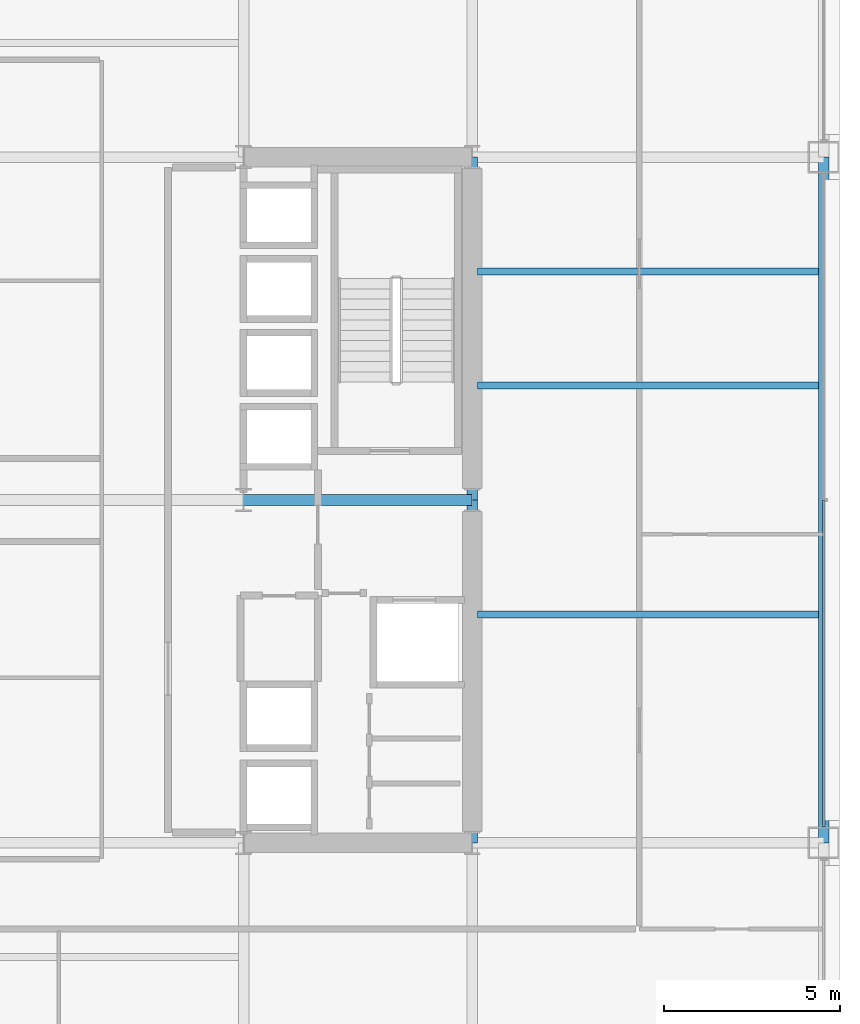
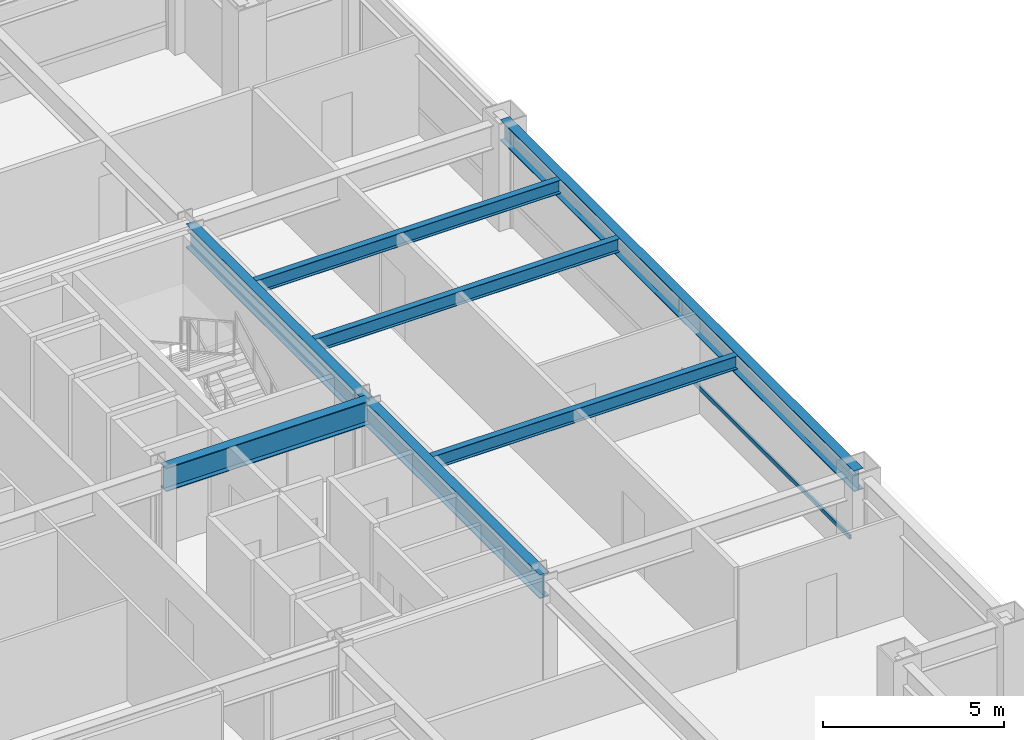
# One storey, part 14 of 29: 7 beams, 1 member, 1 element without a shape of its own.
"""IFC4 building model written with IfcOpenShell, lengths in metres."""

from ifc_helpers import new_model, si_unit, direction, frame, origin, origin_2d, place, context, subcontext, project, spatial, hollow_rectangle, i_section, extrude, material, layer, layer_set, material_profile, profile_set, type_object, element, aggregate, save


model = new_model("IFC4")

# Units and contexts
model_context = context("Model", 3, precision=1e-05, world=origin(), true_north=direction((0.0, 1.0)))
body_context = subcontext(model_context, "Body", "Model", "MODEL_VIEW")
ifc_project = project(units=[si_unit("LENGTHUNIT", "METRE"), si_unit("AREAUNIT", "SQUARE_METRE"), si_unit("VOLUMEUNIT", "CUBIC_METRE"), si_unit("PLANEANGLEUNIT", "RADIAN"), si_unit("MASSUNIT", "GRAM", prefix="KILO")], contexts=[model_context])

# Site, building, storey
site_placement = place(None, origin())
site = spatial("IfcSite", under=ifc_project, at=site_placement, CompositionType="ELEMENT")
building_placement = place(site_placement, origin())
building = spatial("IfcBuilding", under=site, at=building_placement, Name="Brelmoor Portico Tower", CompositionType="ELEMENT")
storey_placement = place(building_placement, frame((0.0, 0.0, 52.800048828125)))
storey = spatial("IfcBuildingStorey", under=building, at=storey_placement, Name="L13", CompositionType="ELEMENT", Elevation=52.800048828125)

# Beams
ifc_material_1 = material(Name="Steel Q355B", Category="steel")
ifc_material_profile_1 = material_profile(ifc_material_1, i_section(OverallWidth=0.199951171875, OverallDepth=0.449951171875, WebThickness=0.009033203125, FlangeThickness=0.013916015625, at=origin_2d()), Name="HN 450x200x9x14")
ifc_profile_set_1 = profile_set([ifc_material_profile_1], Name="Steel Q355B")
beam_type_1 = type_object("IfcBeamType", Name="BM-JS-450", PredefinedType="JOIST", material=ifc_profile_set_1)
for number, where, z_axis, x_axis, name in (
    (1, (14.699951171875, -3.25, 3.175048828125), (1.0, 0.0, 0.0), (0.0, 1.0, 0.0), "L13 Secondary Wing Joist JS-E08"),
    (2, (14.699951171875, 3.25, 3.175048828125), (1.0, 0.0, 0.0), (0.0, 1.0, 0.0), "L13 Secondary Wing Joist JS-E09"),
    (3, (14.699951171875, 6.5, 3.175048828125), (1.0, 0.0, 0.0), (0.0, 1.0, 0.0), "L13 Secondary Wing Joist JS-E10"),
):
    element("IfcBeam", number, at=place(storey_placement, frame(where, z_axis=z_axis, x_axis=x_axis)), inside=storey, type_object=beam_type_1, Name=name, PredefinedType="JOIST", context=body_context, shape_type="SweptSolid", body=[
        extrude(i_section(OverallWidth=0.199951171875, OverallDepth=0.449951171875, WebThickness=0.009033203125, FlangeThickness=0.013916015625, at=origin_2d()), origin(), (0.0, 0.0, 1.0), 9.699951171875),
    ])
ifc_material_profile_2 = material_profile(ifc_material_1, i_section(OverallWidth=0.300048828125, OverallDepth=0.800048828125, WebThickness=0.013916015625, FlangeThickness=0.02587890625, at=origin_2d()), Name="HN 800x300x14x26")
ifc_profile_set_2 = profile_set([ifc_material_profile_2], Name="Steel Q355B")
beam_type_2 = type_object("IfcBeamType", Name="BM-PG-800", PredefinedType="BEAM", material=ifc_profile_set_2)
for number, where, z_axis, x_axis, name in (
    (4, (14.550048828125, -9.75, 3.0), (0.0, 1.0, 0.0), (-1.0, 0.0, 0.0), "L13 Primary Floor Girder PG-12"),
    (5, (14.550048828125, 0.0, 3.0), (0.0, 1.0, 0.0), (-1.0, 0.0, 0.0), "L13 Primary Floor Girder PG-13"),
):
    element("IfcBeam", number, at=place(storey_placement, frame(where, z_axis=z_axis, x_axis=x_axis)), inside=storey, type_object=beam_type_2, Name=name, PredefinedType="BEAM", context=body_context, shape_type="SweptSolid", body=[
        extrude(i_section(OverallWidth=0.300048828125, OverallDepth=0.800048828125, WebThickness=0.013916015625, FlangeThickness=0.02587890625, at=origin_2d()), origin(), (0.0, 0.0, 1.0), 9.75),
    ])
beam_1_placement = place(storey_placement, frame((8.050048828125, 0.0, 3.0), z_axis=(1.0, 0.0, 0.0), x_axis=(0.0, 1.0, 0.0)))
element("IfcBeam", 6, at=beam_1_placement, inside=storey, type_object=beam_type_2, Name="L13 Primary Floor Girder PG-26", PredefinedType="BEAM", context=body_context, shape_type="SweptSolid", body=[
    extrude(i_section(OverallWidth=0.300048828125, OverallDepth=0.800048828125, WebThickness=0.013916015625, FlangeThickness=0.02587890625, at=origin_2d()), origin(), (0.0, 0.0, 1.0), 6.5),
])
ifc_material_profile_3 = material_profile(ifc_material_1, i_section(OverallWidth=0.300048828125, OverallDepth=0.699951171875, WebThickness=0.012939453125, FlangeThickness=0.02392578125, at=origin_2d()), Name="HN 700x300x13x24")
ifc_profile_set_3 = profile_set([ifc_material_profile_3], Name="Steel Q355B")
beam_type_3 = type_object("IfcBeamType", Name="BM-SP-700", PredefinedType="SPANDREL", material=ifc_profile_set_3)
beam_2_placement = place(storey_placement, frame((24.550048828125, -9.75, 3.050048828125), z_axis=(0.0, 1.0, 0.0), x_axis=(-1.0, 0.0, 0.0)))
element("IfcBeam", 7, at=beam_2_placement, inside=storey, type_object=beam_type_3, Name="L13 Perimeter Spandrel Beam SP-23", PredefinedType="SPANDREL", context=body_context, shape_type="SweptSolid", body=[
    extrude(i_section(OverallWidth=0.300048828125, OverallDepth=0.699951171875, WebThickness=0.012939453125, FlangeThickness=0.02392578125, at=origin_2d()), origin(), (0.0, 0.0, 1.0), 19.5),
])

# Curtain wall, member
ifc_material_2 = material(Name="Anodised Aluminium Alloy 6063-T6", Category="aluminium")
ifc_layer = layer(ifc_material_2, 0.179931640625)
ifc_layer_set = layer_set([ifc_layer], Name="Anodised Aluminium Alloy 6063-T6")
curtain_wall_type = type_object("IfcCurtainWallType", Name="CW-TOWER-Z1", PredefinedType="NOTDEFINED", material=ifc_layer_set)
curtain_wall_placement = place(storey_placement, origin())
curtain_wall = element("IfcCurtainWall", 8, at=curtain_wall_placement, inside=storey, type_object=curtain_wall_type, Name="L13 Curtain Wall CW-L13-04-2", PredefinedType="NOTDEFINED")
ifc_material_profile_4 = material_profile(ifc_material_2, hollow_rectangle(XDim=0.06494140625, YDim=0.139892578125, WallThickness=0.00390625, at=origin_2d()), Name="ALU TRANSOM 65x140")
ifc_profile_set_4 = profile_set([ifc_material_profile_4], Name="Anodised Aluminium Alloy 6063-T6")
member_type = type_object("IfcMemberType", Name="MB-CW-TRAN-140", PredefinedType="USERDEFINED", material=ifc_profile_set_4)
member_placement = place(storey_placement, frame((24.550048828125, -9.2900390625, 0.849853515625), z_axis=(0.0, 1.0, 0.0), x_axis=(-1.0, 0.0, 0.0)))
member = element("IfcMember", 9, at=member_placement, type_object=member_type, Name="CW-L13-04-2 Transom 1-00", ObjectType="TRANSOM", PredefinedType="USERDEFINED", context=body_context, shape_type="SweptSolid", body=[
    extrude(hollow_rectangle(XDim=0.06494140625, YDim=0.139892578125, WallThickness=0.00390625, at=origin_2d()), origin(), (0.0, 0.0, 1.0), 9.2900390625),
])
aggregate(curtain_wall, [member])

save(model, "model.ifc")
